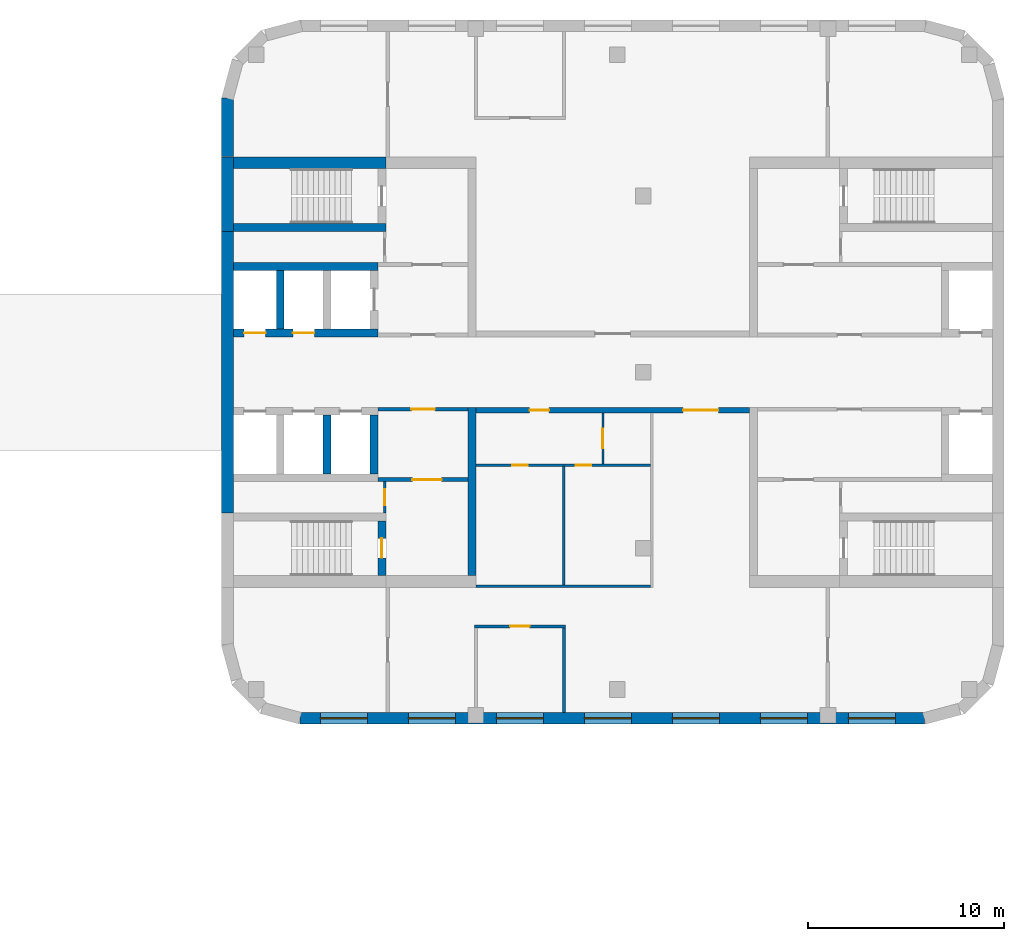
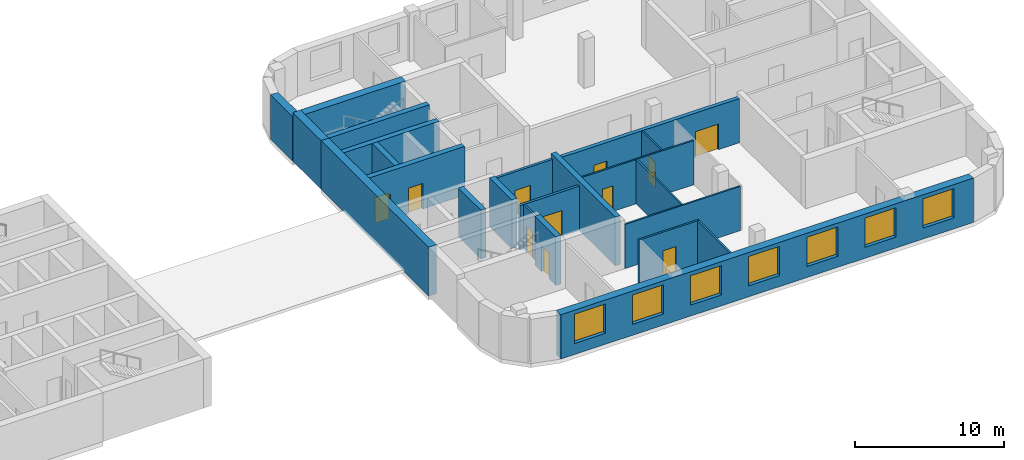
# One storey, part 7 of 12: 23 walls, 12 doors, 7 windows, 19 openings.
"""IFC4 building model written with IfcOpenShell, lengths in metres."""

from ifc_helpers import new_model, si_unit, direction, frame, frame_2d, origin, place, context, subcontext, project, spatial, rectangle, extrude, material, layer, layer_set, type_object, element, fill, save


model = new_model("IFC4")

# Units and contexts
model_context = context("Model", 3, precision=1e-05, world=origin(), true_north=direction((0.0, 1.0)))
body_context = subcontext(model_context, "Body", "Model", "MODEL_VIEW")
ifc_project = project(units=[si_unit("LENGTHUNIT", "METRE"), si_unit("AREAUNIT", "SQUARE_METRE"), si_unit("VOLUMEUNIT", "CUBIC_METRE"), si_unit("PLANEANGLEUNIT", "RADIAN"), si_unit("MASSUNIT", "GRAM", prefix="KILO")], contexts=[model_context])

# Site, building, storey
site_placement = place(None, origin())
site = spatial("IfcSite", under=ifc_project, at=site_placement, CompositionType="ELEMENT")
building_placement = place(site_placement, origin())
building = spatial("IfcBuilding", under=site, at=building_placement, Name="Skarvind Civic Tower", CompositionType="ELEMENT")
storey_placement = place(building_placement, frame((0.0, 0.0, 35.5)))
storey = spatial("IfcBuildingStorey", under=building, at=storey_placement, Name="L07", CompositionType="ELEMENT", Elevation=35.5)

# Wall, openings, doors
ifc_material_1 = material(Name="Fire-rated gypsum board on steel studs", Category="steel")
ifc_layer_1 = layer(ifc_material_1, 0.300048828125)
ifc_layer_set_1 = layer_set([ifc_layer_1], Name="CORRIDOR WALL 300")
wall_type_1 = type_object("IfcWallType", Name="CORRIDOR WALL 300", PredefinedType="PARTITIONING", material=ifc_layer_set_1)
wall_1_placement = place(storey_placement, frame((154.0, 126.050048828125, 0.0), z_axis=(0.0, 0.0, 1.0), x_axis=(-1.0, 0.0, 0.0)))
wall_1 = element("IfcWall", 1, at=wall_1_placement, inside=storey, type_object=wall_type_1, Name="Partition 07.015", PredefinedType="PARTITIONING", context=body_context, shape_type="SweptSolid", body=[
    extrude(rectangle(XDim=14.0, YDim=0.300048828125, at=frame_2d((7.0, 0.0))), origin(), (0.0, 0.0, 1.0), 3.625),
])
opening_1_placement = place(wall_1_placement, frame((10.25, 0.0, 0.0)))
opening_1 = element("IfcOpeningElement", 2, at=opening_1_placement, cuts=wall_1, Name="Opening L07-D105", PredefinedType="OPENING", context=body_context, shape_type="SweptSolid", body=[
    extrude(rectangle(XDim=1.0, YDim=2.10009765625, at=frame_2d((0.5, 1.050048828125))), frame((0.0, 0.159912109375, 0.0), z_axis=(0.0, -1.0, 0.0), x_axis=(1.0, 0.0, 0.0)), (0.0, 0.0, 1.0), 0.320068359375),
])
opening_2_placement = place(wall_1_placement, frame((1.60009765625, 0.0, 0.0)))
opening_2 = element("IfcOpeningElement", 3, at=opening_2_placement, cuts=wall_1, Name="Opening L07-D109", PredefinedType="OPENING", context=body_context, shape_type="SweptSolid", body=[
    extrude(rectangle(XDim=1.800048828125, YDim=2.10009765625, at=frame_2d((0.89990234375, 1.050048828125))), frame((0.0, 0.159912109375, 0.0), z_axis=(0.0, -1.0, 0.0), x_axis=(1.0, 0.0, 0.0)), (0.0, 0.0, 1.0), 0.320068359375),
])
ifc_material_2 = material(Name="Fire-rated timber door leaf", Category="wood")
door_type_1 = type_object("IfcDoorType", Name="FD1 1000x2100", OperationType="NOTDEFINED", PredefinedType="DOOR", material=ifc_material_2)
door_1_placement = place(opening_1_placement, origin())
door_1 = element("IfcDoor", 4, at=door_1_placement, inside=storey, type_object=door_type_1, Name="Door L07-D105", OperationType="SINGLE_SWING_RIGHT", OverallHeight=2.10009765625, OverallWidth=1.0, PredefinedType="DOOR", context=body_context, shape_type="SweptSolid", body=[
    extrude(rectangle(XDim=1.0, YDim=2.10009765625, at=frame_2d((0.5, 1.050048828125))), frame((0.0, 0.02490234375, 0.0), z_axis=(0.0, -1.0, 0.0), x_axis=(1.0, 0.0, 0.0)), (0.0, 0.0, 1.0), 0.050048828125),
])
fill(opening_1, door_1)
door_type_2 = type_object("IfcDoorType", Name="FD4 1800x2100", OperationType="NOTDEFINED", PredefinedType="DOOR", material=ifc_material_2)
door_2_placement = place(opening_2_placement, origin())
door_2 = element("IfcDoor", 5, at=door_2_placement, inside=storey, type_object=door_type_2, Name="Door L07-D109", OperationType="DOUBLE_DOOR_SINGLE_SWING", OverallHeight=2.10009765625, OverallWidth=1.800048828125, PredefinedType="DOOR", context=body_context, shape_type="SweptSolid", body=[
    extrude(rectangle(XDim=1.800048828125, YDim=2.10009765625, at=frame_2d((0.89990234375, 1.050048828125))), frame((0.0, 0.02490234375, 0.0), z_axis=(0.0, -1.0, 0.0), x_axis=(1.0, 0.0, 0.0)), (0.0, 0.0, 1.0), 0.050048828125),
])
fill(opening_2, door_2)

# Wall, opening, door
ifc_material_3 = material(Name="Fire-rated masonry partition", Category="masonry")
ifc_layer_2 = layer(ifc_material_3, 0.199951171875)
ifc_layer_set_2 = layer_set([ifc_layer_2], Name="Core enclosure wall 200")
wall_type_2 = type_object("IfcWallType", Name="Core enclosure wall 200", PredefinedType="PARTITIONING", material=ifc_layer_set_2)
wall_2_placement = place(storey_placement, frame((139.60009765625, 126.10009765625, 0.0), z_axis=(0.0, 0.0, 1.0), x_axis=(-1.0, 0.0, 0.0)))
wall_2 = element("IfcWall", 6, at=wall_2_placement, inside=storey, type_object=wall_type_2, Name="Core wall CA", PredefinedType="PARTITIONING", context=body_context, shape_type="SweptSolid", body=[
    extrude(rectangle(XDim=4.60009765625, YDim=0.199951171875, at=frame_2d((2.300048828125, 0.0))), origin(), (0.0, 0.0, 1.0), 3.625),
])
opening_3_placement = place(wall_2_placement, frame((1.699951171875, 0.0, 0.0)))
opening_3 = element("IfcOpeningElement", 7, at=opening_3_placement, cuts=wall_2, Name="Opening D-L07-CA-10", PredefinedType="OPENING", context=body_context, shape_type="SweptSolid", body=[
    extrude(rectangle(XDim=1.199951171875, YDim=2.10009765625, at=frame_2d((0.60009765625, 1.050048828125))), frame((0.0, 0.10986328125, 0.0), z_axis=(0.0, -1.0, 0.0), x_axis=(1.0, 0.0, 0.0)), (0.0, 0.0, 1.0), 0.219970703125),
])
ifc_material_4 = material(Name="Fire-rated steel door", Category="steel")
door_type_3 = type_object("IfcDoorType", Name="Core lobby door 1200", OperationType="NOTDEFINED", PredefinedType="DOOR", material=ifc_material_4)
door_3_placement = place(opening_3_placement, origin())
door_3 = element("IfcDoor", 8, at=door_3_placement, inside=storey, type_object=door_type_3, Name="Fire door", OperationType="DOUBLE_DOOR_SINGLE_SWING", OverallHeight=2.10009765625, OverallWidth=1.199951171875, PredefinedType="DOOR", context=body_context, shape_type="SweptSolid", body=[
    extrude(rectangle(XDim=1.199951171875, YDim=2.10009765625, at=frame_2d((0.60009765625, 1.050048828125))), frame((0.0, 0.02490234375, 0.0), z_axis=(0.0, -1.0, 0.0), x_axis=(1.0, 0.0, 0.0)), (0.0, 0.0, 1.0), 0.050048828125),
])
fill(opening_3, door_3)

wall_3_placement = place(storey_placement, frame((139.60009765625, 122.5, 0.0), z_axis=(0.0, 0.0, 1.0), x_axis=(-1.0, 0.0, 0.0)))
wall_3 = element("IfcWall", 9, at=wall_3_placement, inside=storey, type_object=wall_type_2, Name="Core wall CA", PredefinedType="PARTITIONING", context=body_context, shape_type="SweptSolid", body=[
    extrude(rectangle(XDim=4.60009765625, YDim=0.199951171875, at=frame_2d((2.300048828125, 0.0))), origin(), (0.0, 0.0, 1.0), 3.625),
])
opening_4_placement = place(wall_3_placement, frame((1.35009765625, 0.0, 0.0)))
opening_4 = element("IfcOpeningElement", 10, at=opening_4_placement, cuts=wall_3, Name="Opening D-L07-CA-11", PredefinedType="OPENING", context=body_context, shape_type="SweptSolid", body=[
    extrude(rectangle(XDim=1.5, YDim=2.10009765625, at=frame_2d((0.75, 1.050048828125))), frame((0.0, 0.10986328125, 0.0), z_axis=(0.0, -1.0, 0.0), x_axis=(1.0, 0.0, 0.0)), (0.0, 0.0, 1.0), 0.219970703125),
])
door_type_4 = type_object("IfcDoorType", Name="Fire door 1500", OperationType="NOTDEFINED", PredefinedType="DOOR", material=ifc_material_4)
door_4_placement = place(opening_4_placement, origin())
door_4 = element("IfcDoor", 11, at=door_4_placement, inside=storey, type_object=door_type_4, Name="Fire door", OperationType="DOUBLE_DOOR_SINGLE_SWING", OverallHeight=2.10009765625, OverallWidth=1.5, PredefinedType="DOOR", context=body_context, shape_type="SweptSolid", body=[
    extrude(rectangle(XDim=1.5, YDim=2.10009765625, at=frame_2d((0.75, 1.050048828125))), frame((0.0, 0.02490234375, 0.0), z_axis=(0.0, -1.0, 0.0), x_axis=(1.0, 0.0, 0.0)), (0.0, 0.0, 1.0), 0.050048828125),
])
fill(opening_4, door_4)

ifc_material_5 = material(Name="Concrete C80", Category="concrete")
ifc_layer_3 = layer(ifc_material_5, 0.39990234375)
ifc_layer_set_3 = layer_set([ifc_layer_3], Name="Core wall 400 C80")
wall_type_3 = type_object("IfcWallType", Name="Core wall 400 C80", PredefinedType="SHEAR", material=ifc_layer_set_3)
wall_4_placement = place(storey_placement, frame((135.199951171875, 117.60009765625, 0.0), z_axis=(0.0, 0.0, 1.0), x_axis=(0.0, 1.0, 0.0)))
wall_4 = element("IfcWall", 12, at=wall_4_placement, inside=storey, type_object=wall_type_3, Name="Core wall CA south stair end L07", PredefinedType="SHEAR", context=body_context, shape_type="SweptSolid", body=[
    extrude(rectangle(XDim=2.7998046875, YDim=0.39990234375, at=frame_2d((1.39990234375, 0.0))), origin(), (0.0, 0.0, 1.0), 4.0),
])
opening_5_placement = place(wall_4_placement, frame((0.89990234375, 0.0, 0.0)))
opening_5 = element("IfcOpeningElement", 13, at=opening_5_placement, cuts=wall_4, Name="Opening D-L07-CA-12", PredefinedType="OPENING", context=body_context, shape_type="SweptSolid", body=[
    extrude(rectangle(XDim=1.0, YDim=2.10009765625, at=frame_2d((0.5, 1.050048828125))), frame((0.0, 0.2099609375, 0.0), z_axis=(0.0, -1.0, 0.0), x_axis=(1.0, 0.0, 0.0)), (0.0, 0.0, 1.0), 0.419921875),
])
door_type_5 = type_object("IfcDoorType", Name="Fire door 1000", OperationType="NOTDEFINED", PredefinedType="DOOR", material=ifc_material_4)
door_5_placement = place(opening_5_placement, origin())
door_5 = element("IfcDoor", 14, at=door_5_placement, inside=storey, type_object=door_type_5, Name="Fire door", OperationType="SINGLE_SWING_RIGHT", OverallHeight=2.10009765625, OverallWidth=1.0, PredefinedType="DOOR", context=body_context, shape_type="SweptSolid", body=[
    extrude(rectangle(XDim=1.0, YDim=2.10009765625, at=frame_2d((0.5, 1.050048828125))), frame((0.0, 0.02490234375, 0.0), z_axis=(0.0, -1.0, 0.0), x_axis=(1.0, 0.0, 0.0)), (0.0, 0.0, 1.0), 0.050048828125),
])
fill(opening_5, door_5)

# Walls
wall_5_placement = place(storey_placement, frame((127.60009765625, 135.39990234375, 0.0), z_axis=(0.0, 0.0, 1.0), x_axis=(1.0, 0.0, 0.0)))
element("IfcWall", 15, at=wall_5_placement, inside=storey, type_object=wall_type_3, Name="Core wall CA north stair inner L07", PredefinedType="SHEAR", context=body_context, shape_type="SweptSolid", body=[
    extrude(rectangle(XDim=7.7998046875, YDim=0.39990234375, at=frame_2d((3.89990234375, 0.0))), origin(), (0.0, 0.0, 1.0), 4.0),
])
for number, where, z_axis, x_axis, name in (
    (16, (132.39990234375, 122.800048828125, 0.0), (0.0, 0.0, 1.0), (0.0, 1.0, 0.0), "Core wall CA south lift row division 2 L07"),
    (17, (134.800048828125, 122.800048828125, 0.0), (0.0, 0.0, 1.0), (0.0, 1.0, 0.0), "Core wall CA south lift row division 3 L07"),
):
    element("IfcWall", number, at=place(storey_placement, frame(where, z_axis=z_axis, x_axis=x_axis)), inside=storey, type_object=wall_type_3, Name=name, PredefinedType="SHEAR", context=body_context, shape_type="SweptSolid", body=[
        extrude(rectangle(XDim=3.0, YDim=0.39990234375, at=frame_2d((1.5, 0.0))), origin(), (0.0, 0.0, 1.0), 4.0),
    ])

# Wall, openings, doors
wall_6_placement = place(storey_placement, frame((127.60009765625, 130.0, 0.0), z_axis=(0.0, 0.0, 1.0), x_axis=(1.0, 0.0, 0.0)))
wall_6 = element("IfcWall", 18, at=wall_6_placement, inside=storey, type_object=wall_type_3, Name="Core wall CA north lift row front L07", PredefinedType="SHEAR", context=body_context, shape_type="SweptSolid", body=[
    extrude(rectangle(XDim=7.39990234375, YDim=0.39990234375, at=frame_2d((3.699951171875, 0.0))), origin(), (0.0, 0.0, 1.0), 4.0),
])
opening_6_placement = place(wall_6_placement, frame((0.550048828125, 0.0, 0.0)))
opening_6 = element("IfcOpeningElement", 19, at=opening_6_placement, cuts=wall_6, Name="Opening LD09301", PredefinedType="OPENING", context=body_context, shape_type="SweptSolid", body=[
    extrude(rectangle(XDim=1.10009765625, YDim=2.10009765625, at=frame_2d((0.550048828125, 1.050048828125))), frame((0.0, 0.2099609375, 0.0), z_axis=(0.0, -1.0, 0.0), x_axis=(1.0, 0.0, 0.0)), (0.0, 0.0, 1.0), 0.419921875),
])
opening_7_placement = place(wall_6_placement, frame((3.050048828125, 0.0, 0.0)))
opening_7 = element("IfcOpeningElement", 20, at=opening_7_placement, cuts=wall_6, Name="Opening LD09302", PredefinedType="OPENING", context=body_context, shape_type="SweptSolid", body=[
    extrude(rectangle(XDim=1.10009765625, YDim=2.10009765625, at=frame_2d((0.550048828125, 1.050048828125))), frame((0.0, 0.2099609375, 0.0), z_axis=(0.0, -1.0, 0.0), x_axis=(1.0, 0.0, 0.0)), (0.0, 0.0, 1.0), 0.419921875),
])
ifc_material_6 = material(Name="Stainless steel landing door", Category="steel")
door_type_6 = type_object("IfcDoorType", Name="Lift landing door 1100", OperationType="DOUBLE_DOOR_SLIDING", PredefinedType="DOOR", material=ifc_material_6)
door_6_placement = place(opening_6_placement, origin())
door_6 = element("IfcDoor", 21, at=door_6_placement, inside=storey, type_object=door_type_6, Name="Lift landing door", OperationType="DOUBLE_DOOR_SLIDING", OverallHeight=2.10009765625, OverallWidth=1.10009765625, PredefinedType="DOOR", context=body_context, shape_type="SweptSolid", body=[
    extrude(rectangle(XDim=1.10009765625, YDim=2.10009765625, at=frame_2d((0.550048828125, 1.050048828125))), frame((0.0, 0.02490234375, 0.0), z_axis=(0.0, -1.0, 0.0), x_axis=(1.0, 0.0, 0.0)), (0.0, 0.0, 1.0), 0.050048828125),
])
fill(opening_6, door_6)
door_7_placement = place(opening_7_placement, origin())
door_7 = element("IfcDoor", 22, at=door_7_placement, inside=storey, type_object=door_type_6, Name="Lift landing door", OperationType="DOUBLE_DOOR_SLIDING", OverallHeight=2.10009765625, OverallWidth=1.10009765625, PredefinedType="DOOR", context=body_context, shape_type="SweptSolid", body=[
    extrude(rectangle(XDim=1.10009765625, YDim=2.10009765625, at=frame_2d((0.550048828125, 1.050048828125))), frame((0.0, 0.02490234375, 0.0), z_axis=(0.0, -1.0, 0.0), x_axis=(1.0, 0.0, 0.0)), (0.0, 0.0, 1.0), 0.050048828125),
])
fill(opening_7, door_7)

# Walls
wall_7_placement = place(storey_placement, frame((127.60009765625, 133.39990234375, 0.0), z_axis=(0.0, 0.0, 1.0), x_axis=(1.0, 0.0, 0.0)))
element("IfcWall", 23, at=wall_7_placement, inside=storey, type_object=wall_type_3, Name="Core wall CA north lift row back L07", PredefinedType="SHEAR", context=body_context, shape_type="SweptSolid", body=[
    extrude(rectangle(XDim=7.39990234375, YDim=0.39990234375, at=frame_2d((3.699951171875, 0.0))), origin(), (0.0, 0.0, 1.0), 4.0),
])
wall_8_placement = place(storey_placement, frame((130.0, 130.199951171875, 0.0), z_axis=(0.0, 0.0, 1.0), x_axis=(0.0, 1.0, 0.0)))
element("IfcWall", 24, at=wall_8_placement, inside=storey, type_object=wall_type_3, Name="Core wall CA north lift row division 1 L07", PredefinedType="SHEAR", context=body_context, shape_type="SweptSolid", body=[
    extrude(rectangle(XDim=3.0, YDim=0.39990234375, at=frame_2d((1.5, 0.0))), origin(), (0.0, 0.0, 1.0), 4.0),
])
wall_9_placement = place(storey_placement, frame((139.800048828125, 117.60009765625, 0.0), z_axis=(0.0, 0.0, 1.0), x_axis=(0.0, 1.0, 0.0)))
element("IfcWall", 25, at=wall_9_placement, inside=storey, type_object=wall_type_3, Name="Core wall CA south inner face L07", PredefinedType="SHEAR", context=body_context, shape_type="SweptSolid", body=[
    extrude(rectangle(XDim=8.599853515625, YDim=0.39990234375, at=frame_2d((4.2998046875, 0.0))), origin(), (0.0, 0.0, 1.0), 4.0),
])
ifc_layer_4 = layer(ifc_material_5, 0.60009765625)
ifc_layer_set_4 = layer_set([ifc_layer_4], Name="Core wall 600 C80")
wall_type_4 = type_object("IfcWallType", Name="Core wall 600 C80", PredefinedType="SHEAR", material=ifc_layer_set_4)
wall_10_placement = place(storey_placement, frame((127.300048828125, 120.800048828125, 0.0), z_axis=(0.0, 0.0, 1.0), x_axis=(0.0, 1.0, 0.0)))
element("IfcWall", 26, at=wall_10_placement, inside=storey, type_object=wall_type_4, Name="Core wall CA tip between the stairs L07", PredefinedType="SHEAR", context=body_context, shape_type="SweptSolid", body=[
    extrude(rectangle(XDim=14.39990234375, YDim=0.60009765625, at=frame_2d((7.199951171875, 0.0))), origin(), (0.0, 0.0, 1.0), 4.0),
])
wall_11_placement = place(storey_placement, frame((127.300048828125, 135.199951171875, 0.0), z_axis=(0.0, 0.0, 1.0), x_axis=(0.0, 1.0, 0.0)))
element("IfcWall", 27, at=wall_11_placement, inside=storey, type_object=wall_type_4, Name="Core wall CA tip at the north stair L07", PredefinedType="SHEAR", context=body_context, shape_type="SweptSolid", body=[
    extrude(rectangle(XDim=3.800048828125, YDim=0.60009765625, at=frame_2d((1.89990234375, 0.0))), origin(), (0.0, 0.0, 1.0), 4.0),
])
wall_12_placement = place(storey_placement, frame((127.60009765625, 138.699951171875, 0.0), z_axis=(0.0, 0.0, 1.0), x_axis=(1.0, 0.0, 0.0)))
element("IfcWall", 28, at=wall_12_placement, inside=storey, type_object=wall_type_4, Name="Core wall CA north side at the stair L07", PredefinedType="SHEAR", context=body_context, shape_type="SweptSolid", body=[
    extrude(rectangle(XDim=7.7998046875, YDim=0.60009765625, at=frame_2d((3.89990234375, 0.0))), origin(), (0.0, 0.0, 1.0), 4.0),
])

# Wall, opening, door
ifc_material_7 = material(Name="Plasterboard partition on steel studs", Category="steel")
ifc_layer_5 = layer(ifc_material_7, 0.14990234375)
ifc_layer_set_5 = layer_set([ifc_layer_5], Name="PARTITION 150")
wall_type_5 = type_object("IfcWallType", Name="PARTITION 150", PredefinedType="PARTITIONING", material=ifc_layer_set_5)
wall_13_placement = place(storey_placement, frame((139.925048828125, 115.0, 0.0), z_axis=(0.0, 0.0, 1.0), x_axis=(1.0, 0.0, 0.0)))
wall_13 = element("IfcWall", 29, at=wall_13_placement, inside=storey, type_object=wall_type_5, Name="Partition 07.004", PredefinedType="PARTITIONING", context=body_context, shape_type="SweptSolid", body=[
    extrude(rectangle(XDim=4.64990234375, YDim=0.14990234375, at=frame_2d((2.324951171875, 0.0))), origin(), (0.0, 0.0, 1.0), 3.625),
])
opening_8_placement = place(wall_13_placement, frame((1.824951171875, 0.0, 0.0)))
opening_8 = element("IfcOpeningElement", 30, at=opening_8_placement, cuts=wall_13, Name="Opening L07-D110", PredefinedType="OPENING", context=body_context, shape_type="SweptSolid", body=[
    extrude(rectangle(XDim=1.0, YDim=2.10009765625, at=frame_2d((0.5, 1.050048828125))), frame((0.0, 0.0849609375, 0.0), z_axis=(0.0, -1.0, 0.0), x_axis=(1.0, 0.0, 0.0)), (0.0, 0.0, 1.0), 0.169921875),
])
ifc_material_8 = material(Name="Timber door leaf", Category="wood")
door_type_7 = type_object("IfcDoorType", Name="D1 1000x2100", OperationType="NOTDEFINED", PredefinedType="DOOR", material=ifc_material_8)
door_8_placement = place(opening_8_placement, origin())
door_8 = element("IfcDoor", 31, at=door_8_placement, inside=storey, type_object=door_type_7, Name="Door L07-D110", OperationType="SINGLE_SWING_LEFT", OverallHeight=2.10009765625, OverallWidth=1.0, PredefinedType="DOOR", context=body_context, shape_type="SweptSolid", body=[
    extrude(rectangle(XDim=1.0, YDim=2.10009765625, at=frame_2d((0.5, 1.050048828125))), frame((0.0, 0.02490234375, 0.0), z_axis=(0.0, -1.0, 0.0), x_axis=(1.0, 0.0, 0.0)), (0.0, 0.0, 1.0), 0.050048828125),
])
fill(opening_8, door_8)

# Wall
wall_14_placement = place(storey_placement, frame((144.5, 114.925048828125, 0.0), z_axis=(0.0, 0.0, 1.0), x_axis=(0.0, -1.0, 0.0)))
element("IfcWall", 32, at=wall_14_placement, inside=storey, type_object=wall_type_5, Name="Partition 07.009", PredefinedType="PARTITIONING", context=body_context, shape_type="SweptSolid", body=[
    extrude(rectangle(XDim=4.324951171875, YDim=0.14990234375, at=frame_2d((2.16259765625, 0.0))), origin(), (0.0, 0.0, 1.0), 3.625),
])

# Wall, opening, door
ifc_layer_6 = layer(ifc_material_3, 0.125)
ifc_layer_set_6 = layer_set([ifc_layer_6], Name="Riser wall 125")
wall_type_6 = type_object("IfcWallType", Name="Riser wall 125", PredefinedType="PARTITIONING", material=ifc_layer_set_6)
wall_15_placement = place(storey_placement, frame((135.33740234375, 122.39990234375, 0.0), z_axis=(0.0, 0.0, 1.0), x_axis=(0.0, -1.0, 0.0)))
wall_15 = element("IfcWall", 33, at=wall_15_placement, inside=storey, type_object=wall_type_6, Name="Core wall CA", PredefinedType="PARTITIONING", context=body_context, shape_type="SweptSolid", body=[
    extrude(rectangle(XDim=1.599853515625, YDim=0.125, at=frame_2d((0.7998046875, 0.0))), origin(), (0.0, 0.0, 1.0), 3.625),
])
opening_9_placement = place(wall_15_placement, frame((0.39990234375, 0.0, 0.0)))
opening_9 = element("IfcOpeningElement", 34, at=opening_9_placement, cuts=wall_15, Name="Opening D-L07-CA-13", PredefinedType="OPENING", context=body_context, shape_type="SweptSolid", body=[
    extrude(rectangle(XDim=0.800048828125, YDim=2.10009765625, at=frame_2d((0.39990234375, 1.050048828125))), frame((0.0, 0.072509765625, 0.0), z_axis=(0.0, -1.0, 0.0), x_axis=(1.0, 0.0, 0.0)), (0.0, 0.0, 1.0), 0.14501953125),
])
door_type_8 = type_object("IfcDoorType", Name="Core riser door 800", OperationType="NOTDEFINED", PredefinedType="DOOR", material=ifc_material_4)
door_9_placement = place(opening_9_placement, origin())
door_9 = element("IfcDoor", 35, at=door_9_placement, inside=storey, type_object=door_type_8, Name="Riser door", OperationType="SINGLE_SWING_LEFT", OverallHeight=2.10009765625, OverallWidth=0.800048828125, PredefinedType="DOOR", context=body_context, shape_type="SweptSolid", body=[
    extrude(rectangle(XDim=0.800048828125, YDim=2.10009765625, at=frame_2d((0.39990234375, 1.050048828125))), frame((0.0, 0.02490234375, 0.0), z_axis=(0.0, -1.0, 0.0), x_axis=(1.0, 0.0, 0.0)), (0.0, 0.0, 1.0), 0.050048828125),
])
fill(opening_9, door_9)

# Wall
ifc_material_9 = material(Name="Moisture-resistant gypsum board on steel studs", Category="steel")
ifc_layer_7 = layer(ifc_material_9, 0.125)
ifc_layer_set_7 = layer_set([ifc_layer_7], Name="WC PARTITION 125")
wall_type_7 = type_object("IfcWallType", Name="WC PARTITION 125", PredefinedType="PARTITIONING", material=ifc_layer_set_7)
wall_16_placement = place(storey_placement, frame((140.0, 117.050048828125, 0.0), z_axis=(0.0, 0.0, 1.0), x_axis=(1.0, 0.0, 0.0)))
element("IfcWall", 36, at=wall_16_placement, inside=storey, type_object=wall_type_7, Name="Partition 07.005", PredefinedType="PARTITIONING", context=body_context, shape_type="SweptSolid", body=[
    extrude(rectangle(XDim=8.93798828125, YDim=0.125, at=frame_2d((4.468994140625, 0.0))), origin(), (0.0, 0.0, 1.0), 3.625),
])

# Wall, openings, doors
wall_17_placement = place(storey_placement, frame((148.93798828125, 123.25, 0.0), z_axis=(0.0, 0.0, 1.0), x_axis=(-1.0, 0.0, 0.0)))
wall_17 = element("IfcWall", 37, at=wall_17_placement, inside=storey, type_object=wall_type_7, Name="Partition 07.006", PredefinedType="PARTITIONING", context=body_context, shape_type="SweptSolid", body=[
    extrude(rectangle(XDim=8.93798828125, YDim=0.125, at=frame_2d((4.468994140625, 0.0))), origin(), (0.0, 0.0, 1.0), 3.625),
])
opening_10_placement = place(wall_17_placement, frame((6.2880859375, 0.0, 0.0)))
opening_10 = element("IfcOpeningElement", 38, at=opening_10_placement, cuts=wall_17, Name="Opening L07-D107", PredefinedType="OPENING", context=body_context, shape_type="SweptSolid", body=[
    extrude(rectangle(XDim=0.800048828125, YDim=2.10009765625, at=frame_2d((0.39990234375, 1.050048828125))), frame((0.0, 0.072509765625, 0.0), z_axis=(0.0, -1.0, 0.0), x_axis=(1.0, 0.0, 0.0)), (0.0, 0.0, 1.0), 0.14501953125),
])
opening_11_placement = place(wall_17_placement, frame((3.03662109375, 0.0, 0.0)))
opening_11 = element("IfcOpeningElement", 39, at=opening_11_placement, cuts=wall_17, Name="Opening L07-D108", PredefinedType="OPENING", context=body_context, shape_type="SweptSolid", body=[
    extrude(rectangle(XDim=0.800048828125, YDim=2.10009765625, at=frame_2d((0.39990234375, 1.050048828125))), frame((0.0, 0.072509765625, 0.0), z_axis=(0.0, -1.0, 0.0), x_axis=(1.0, 0.0, 0.0)), (0.0, 0.0, 1.0), 0.14501953125),
])
door_type_9 = type_object("IfcDoorType", Name="DOOR 800X2100 TIMBER", OperationType="NOTDEFINED", PredefinedType="DOOR", material=ifc_material_8)
door_10_placement = place(opening_10_placement, origin())
door_10 = element("IfcDoor", 40, at=door_10_placement, inside=storey, type_object=door_type_9, Name="Door L07-D107", OperationType="SINGLE_SWING_RIGHT", OverallHeight=2.10009765625, OverallWidth=0.800048828125, PredefinedType="DOOR", context=body_context, shape_type="SweptSolid", body=[
    extrude(rectangle(XDim=0.800048828125, YDim=2.10009765625, at=frame_2d((0.39990234375, 1.050048828125))), frame((0.0, 0.02490234375, 0.0), z_axis=(0.0, -1.0, 0.0), x_axis=(1.0, 0.0, 0.0)), (0.0, 0.0, 1.0), 0.050048828125),
])
fill(opening_10, door_10)
door_11_placement = place(opening_11_placement, origin())
door_11 = element("IfcDoor", 41, at=door_11_placement, inside=storey, type_object=door_type_9, Name="Door L07-D108", OperationType="SINGLE_SWING_LEFT", OverallHeight=2.10009765625, OverallWidth=0.800048828125, PredefinedType="DOOR", context=body_context, shape_type="SweptSolid", body=[
    extrude(rectangle(XDim=0.800048828125, YDim=2.10009765625, at=frame_2d((0.39990234375, 1.050048828125))), frame((0.0, 0.02490234375, 0.0), z_axis=(0.0, -1.0, 0.0), x_axis=(1.0, 0.0, 0.0)), (0.0, 0.0, 1.0), 0.050048828125),
])
fill(opening_11, door_11)

# Wall
wall_18_placement = place(storey_placement, frame((144.5, 117.112060546875, 0.0), z_axis=(0.0, 0.0, 1.0), x_axis=(0.0, 1.0, 0.0)))
element("IfcWall", 42, at=wall_18_placement, inside=storey, type_object=wall_type_7, Name="Partition 07.010", PredefinedType="PARTITIONING", context=body_context, shape_type="SweptSolid", body=[
    extrude(rectangle(XDim=6.075927734375, YDim=0.125, at=frame_2d((3.0380859375, 0.0))), origin(), (0.0, 0.0, 1.0), 3.625),
])

# Wall, opening, door
wall_19_placement = place(storey_placement, frame((146.5, 125.89990234375, 0.0), z_axis=(0.0, 0.0, 1.0), x_axis=(0.0, -1.0, 0.0)))
wall_19 = element("IfcWall", 43, at=wall_19_placement, inside=storey, type_object=wall_type_7, Name="Partition 07.013", PredefinedType="PARTITIONING", context=body_context, shape_type="SweptSolid", body=[
    extrude(rectangle(XDim=2.587890625, YDim=0.125, at=frame_2d((1.2939453125, 0.0))), origin(), (0.0, 0.0, 1.0), 3.625),
])
opening_12_placement = place(wall_19_placement, frame((0.7939453125, 0.0, 0.0)))
opening_12 = element("IfcOpeningElement", 44, at=opening_12_placement, cuts=wall_19, Name="Opening L07-D106", PredefinedType="OPENING", context=body_context, shape_type="SweptSolid", body=[
    extrude(rectangle(XDim=1.0, YDim=2.10009765625, at=frame_2d((0.5, 1.050048828125))), frame((0.0, 0.072509765625, 0.0), z_axis=(0.0, -1.0, 0.0), x_axis=(1.0, 0.0, 0.0)), (0.0, 0.0, 1.0), 0.14501953125),
])
door_12_placement = place(opening_12_placement, origin())
door_12 = element("IfcDoor", 45, at=door_12_placement, inside=storey, type_object=door_type_7, Name="Door L07-D106", OperationType="SINGLE_SWING_RIGHT", OverallHeight=2.10009765625, OverallWidth=1.0, PredefinedType="DOOR", context=body_context, shape_type="SweptSolid", body=[
    extrude(rectangle(XDim=1.0, YDim=2.10009765625, at=frame_2d((0.5, 1.050048828125))), frame((0.0, 0.02490234375, 0.0), z_axis=(0.0, -1.0, 0.0), x_axis=(1.0, 0.0, 0.0)), (0.0, 0.0, 1.0), 0.050048828125),
])
fill(opening_12, door_12)

# Wall
ifc_material_10 = material(Name="Limestone masonry cladding on insulated backing", Category="masonry")
ifc_layer_8 = layer(ifc_material_10, 0.60009765625)
ifc_layer_set_8 = layer_set([ifc_layer_8], Name="WX1 STONE FACADE WALL 600")
wall_type_8 = type_object("IfcWallType", Name="WX1 STONE FACADE WALL 600", PredefinedType="SOLIDWALL", material=ifc_layer_set_8)
wall_20_placement = place(storey_placement, frame((127.300048828125, 139.02001953125, 0.0), z_axis=(0.0, 0.0, 1.0), x_axis=(0.0, 1.0, 0.0)))
element("IfcWall", 46, at=wall_20_placement, inside=storey, type_object=wall_type_8, Name="STONE FACADE WALL", PredefinedType="SOLIDWALL", context=body_context, shape_type="SweptSolid", body=[
    extrude(rectangle(XDim=2.97998046875, YDim=0.60009765625, at=frame_2d((1.489990234375, 0.0))), origin(), (0.0, 0.0, 1.0), 3.625),
])

# Wall, openings, windows
wall_21_placement = place(storey_placement, frame((162.929931640625, 110.300048828125, 0.0), z_axis=(0.0, 0.0, 1.0), x_axis=(-1.0, 0.0, 0.0)))
wall_21 = element("IfcWall", 47, at=wall_21_placement, inside=storey, type_object=wall_type_8, Name="STONE FACADE WALL", PredefinedType="SOLIDWALL", context=body_context, shape_type="SweptSolid", body=[
    extrude(rectangle(XDim=31.929931640625, YDim=0.60009765625, at=frame_2d((15.96484375, 0.0))), origin(), (0.0, 0.0, 1.0), 3.625),
])
opening_13_placement = place(wall_21_placement, frame((1.47998046875, 0.0, 0.89990234375)))
opening_13 = element("IfcOpeningElement", 48, at=opening_13_placement, cuts=wall_21, Name="Opening WN9", PredefinedType="OPENING", context=body_context, shape_type="SweptSolid", body=[
    extrude(rectangle(XDim=2.39990234375, YDim=2.39990234375, at=frame_2d((1.199951171875, 1.199951171875))), frame((0.0, 0.31005859375, 0.0), z_axis=(0.0, -1.0, 0.0), x_axis=(1.0, 0.0, 0.0)), (0.0, 0.0, 1.0), 0.6201171875),
])
opening_14_placement = place(wall_21_placement, frame((5.97998046875, 0.0, 0.89990234375)))
opening_14 = element("IfcOpeningElement", 49, at=opening_14_placement, cuts=wall_21, Name="Opening WN9", PredefinedType="OPENING", context=body_context, shape_type="SweptSolid", body=[
    extrude(rectangle(XDim=2.39990234375, YDim=2.39990234375, at=frame_2d((1.199951171875, 1.199951171875))), frame((0.0, 0.31005859375, 0.0), z_axis=(0.0, -1.0, 0.0), x_axis=(1.0, 0.0, 0.0)), (0.0, 0.0, 1.0), 0.6201171875),
])
opening_15_placement = place(wall_21_placement, frame((10.47998046875, 0.0, 0.89990234375)))
opening_15 = element("IfcOpeningElement", 50, at=opening_15_placement, cuts=wall_21, Name="Opening WN9", PredefinedType="OPENING", context=body_context, shape_type="SweptSolid", body=[
    extrude(rectangle(XDim=2.39990234375, YDim=2.39990234375, at=frame_2d((1.199951171875, 1.199951171875))), frame((0.0, 0.31005859375, 0.0), z_axis=(0.0, -1.0, 0.0), x_axis=(1.0, 0.0, 0.0)), (0.0, 0.0, 1.0), 0.6201171875),
])
opening_16_placement = place(wall_21_placement, frame((14.97998046875, 0.0, 0.89990234375)))
opening_16 = element("IfcOpeningElement", 51, at=opening_16_placement, cuts=wall_21, Name="Opening WN9", PredefinedType="OPENING", context=body_context, shape_type="SweptSolid", body=[
    extrude(rectangle(XDim=2.39990234375, YDim=2.39990234375, at=frame_2d((1.199951171875, 1.199951171875))), frame((0.0, 0.31005859375, 0.0), z_axis=(0.0, -1.0, 0.0), x_axis=(1.0, 0.0, 0.0)), (0.0, 0.0, 1.0), 0.6201171875),
])
opening_17_placement = place(wall_21_placement, frame((19.47998046875, 0.0, 0.89990234375)))
opening_17 = element("IfcOpeningElement", 52, at=opening_17_placement, cuts=wall_21, Name="Opening WN9", PredefinedType="OPENING", context=body_context, shape_type="SweptSolid", body=[
    extrude(rectangle(XDim=2.39990234375, YDim=2.39990234375, at=frame_2d((1.199951171875, 1.199951171875))), frame((0.0, 0.31005859375, 0.0), z_axis=(0.0, -1.0, 0.0), x_axis=(1.0, 0.0, 0.0)), (0.0, 0.0, 1.0), 0.6201171875),
])
opening_18_placement = place(wall_21_placement, frame((23.97998046875, 0.0, 0.89990234375)))
opening_18 = element("IfcOpeningElement", 53, at=opening_18_placement, cuts=wall_21, Name="Opening WN9", PredefinedType="OPENING", context=body_context, shape_type="SweptSolid", body=[
    extrude(rectangle(XDim=2.39990234375, YDim=2.39990234375, at=frame_2d((1.199951171875, 1.199951171875))), frame((0.0, 0.31005859375, 0.0), z_axis=(0.0, -1.0, 0.0), x_axis=(1.0, 0.0, 0.0)), (0.0, 0.0, 1.0), 0.6201171875),
])
opening_19_placement = place(wall_21_placement, frame((28.47998046875, 0.0, 0.89990234375)))
opening_19 = element("IfcOpeningElement", 54, at=opening_19_placement, cuts=wall_21, Name="Opening WN9", PredefinedType="OPENING", context=body_context, shape_type="SweptSolid", body=[
    extrude(rectangle(XDim=2.39990234375, YDim=2.39990234375, at=frame_2d((1.199951171875, 1.199951171875))), frame((0.0, 0.31005859375, 0.0), z_axis=(0.0, -1.0, 0.0), x_axis=(1.0, 0.0, 0.0)), (0.0, 0.0, 1.0), 0.6201171875),
])
ifc_material_11 = material(Name="Timber frame, double glazing, timber-lined reveal", Category="wood")
window_type = type_object("IfcWindowType", Name="WN9 COMPANION TOWER WINDOW 2400 x 2400", PartitioningType="SINGLE_PANEL", PredefinedType="WINDOW", material=ifc_material_11)
window_1_placement = place(opening_13_placement, origin())
window_1 = element("IfcWindow", 55, at=window_1_placement, inside=storey, type_object=window_type, Name="WN9 WINDOW", OverallHeight=2.39990234375, OverallWidth=2.39990234375, PartitioningType="SINGLE_PANEL", PredefinedType="WINDOW", context=body_context, shape_type="SweptSolid", body=[
    extrude(rectangle(XDim=2.39990234375, YDim=2.39990234375, at=frame_2d((1.199951171875, 1.199951171875))), frame((0.0, 0.030029296875, 0.0), z_axis=(0.0, -1.0, 0.0), x_axis=(1.0, 0.0, 0.0)), (0.0, 0.0, 1.0), 0.06005859375),
])
fill(opening_13, window_1)
window_2_placement = place(opening_14_placement, origin())
window_2 = element("IfcWindow", 56, at=window_2_placement, inside=storey, type_object=window_type, Name="WN9 WINDOW", OverallHeight=2.39990234375, OverallWidth=2.39990234375, PartitioningType="SINGLE_PANEL", PredefinedType="WINDOW", context=body_context, shape_type="SweptSolid", body=[
    extrude(rectangle(XDim=2.39990234375, YDim=2.39990234375, at=frame_2d((1.199951171875, 1.199951171875))), frame((0.0, 0.030029296875, 0.0), z_axis=(0.0, -1.0, 0.0), x_axis=(1.0, 0.0, 0.0)), (0.0, 0.0, 1.0), 0.06005859375),
])
fill(opening_14, window_2)
window_3_placement = place(opening_15_placement, origin())
window_3 = element("IfcWindow", 57, at=window_3_placement, inside=storey, type_object=window_type, Name="WN9 WINDOW", OverallHeight=2.39990234375, OverallWidth=2.39990234375, PartitioningType="SINGLE_PANEL", PredefinedType="WINDOW", context=body_context, shape_type="SweptSolid", body=[
    extrude(rectangle(XDim=2.39990234375, YDim=2.39990234375, at=frame_2d((1.199951171875, 1.199951171875))), frame((0.0, 0.030029296875, 0.0), z_axis=(0.0, -1.0, 0.0), x_axis=(1.0, 0.0, 0.0)), (0.0, 0.0, 1.0), 0.06005859375),
])
fill(opening_15, window_3)
window_4_placement = place(opening_16_placement, origin())
window_4 = element("IfcWindow", 58, at=window_4_placement, inside=storey, type_object=window_type, Name="WN9 WINDOW", OverallHeight=2.39990234375, OverallWidth=2.39990234375, PartitioningType="SINGLE_PANEL", PredefinedType="WINDOW", context=body_context, shape_type="SweptSolid", body=[
    extrude(rectangle(XDim=2.39990234375, YDim=2.39990234375, at=frame_2d((1.199951171875, 1.199951171875))), frame((0.0, 0.030029296875, 0.0), z_axis=(0.0, -1.0, 0.0), x_axis=(1.0, 0.0, 0.0)), (0.0, 0.0, 1.0), 0.06005859375),
])
fill(opening_16, window_4)
window_5_placement = place(opening_17_placement, origin())
window_5 = element("IfcWindow", 59, at=window_5_placement, inside=storey, type_object=window_type, Name="WN9 WINDOW", OverallHeight=2.39990234375, OverallWidth=2.39990234375, PartitioningType="SINGLE_PANEL", PredefinedType="WINDOW", context=body_context, shape_type="SweptSolid", body=[
    extrude(rectangle(XDim=2.39990234375, YDim=2.39990234375, at=frame_2d((1.199951171875, 1.199951171875))), frame((0.0, 0.030029296875, 0.0), z_axis=(0.0, -1.0, 0.0), x_axis=(1.0, 0.0, 0.0)), (0.0, 0.0, 1.0), 0.06005859375),
])
fill(opening_17, window_5)
window_6_placement = place(opening_18_placement, origin())
window_6 = element("IfcWindow", 60, at=window_6_placement, inside=storey, type_object=window_type, Name="WN9 WINDOW", OverallHeight=2.39990234375, OverallWidth=2.39990234375, PartitioningType="SINGLE_PANEL", PredefinedType="WINDOW", context=body_context, shape_type="SweptSolid", body=[
    extrude(rectangle(XDim=2.39990234375, YDim=2.39990234375, at=frame_2d((1.199951171875, 1.199951171875))), frame((0.0, 0.030029296875, 0.0), z_axis=(0.0, -1.0, 0.0), x_axis=(1.0, 0.0, 0.0)), (0.0, 0.0, 1.0), 0.06005859375),
])
fill(opening_18, window_6)
window_7_placement = place(opening_19_placement, origin())
window_7 = element("IfcWindow", 61, at=window_7_placement, inside=storey, type_object=window_type, Name="WN9 WINDOW", OverallHeight=2.39990234375, OverallWidth=2.39990234375, PartitioningType="SINGLE_PANEL", PredefinedType="WINDOW", context=body_context, shape_type="SweptSolid", body=[
    extrude(rectangle(XDim=2.39990234375, YDim=2.39990234375, at=frame_2d((1.199951171875, 1.199951171875))), frame((0.0, 0.030029296875, 0.0), z_axis=(0.0, -1.0, 0.0), x_axis=(1.0, 0.0, 0.0)), (0.0, 0.0, 1.0), 0.06005859375),
])
fill(opening_19, window_7)

save(model, "model.ifc")
